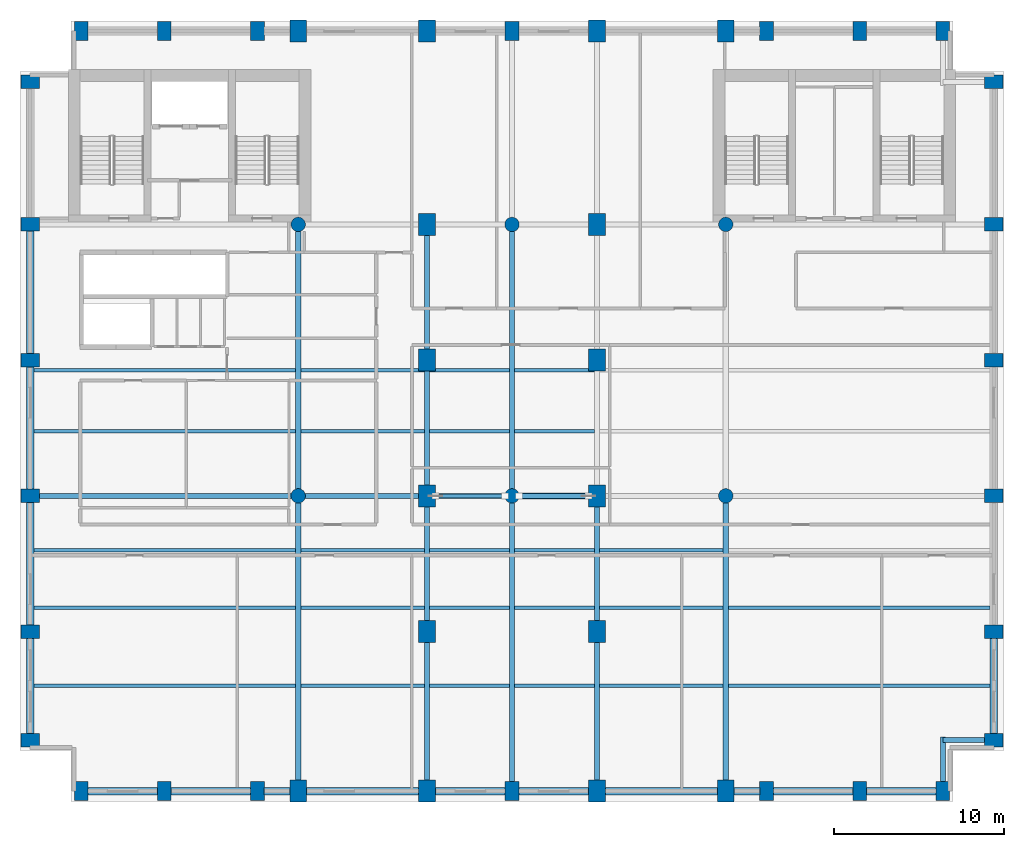
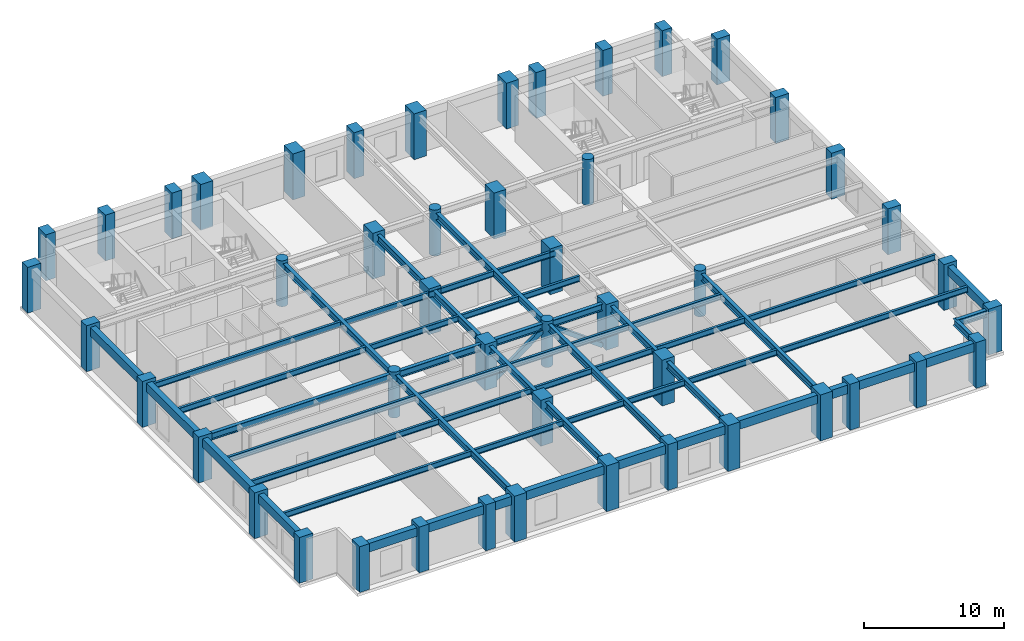
# One storey, part 1 of 10: 54 beams, 48 columns, 2 members.
"""IFC4 building model written with IfcOpenShell, lengths in metres."""

from ifc_helpers import new_model, si_unit, direction, frame, origin, origin_2d, place, context, subcontext, project, spatial, rectangle, hollow_rectangle, circle, i_section, extrude, material, material_profile, profile_set, type_object, element, save


model = new_model("IFC4")

# Units and contexts
model_context = context("Model", 3, precision=1e-05, world=origin(), true_north=direction((0.0, 1.0)))
body_context = subcontext(model_context, "Body", "Model", "MODEL_VIEW")
ifc_project = project(units=[si_unit("LENGTHUNIT", "METRE"), si_unit("AREAUNIT", "SQUARE_METRE"), si_unit("VOLUMEUNIT", "CUBIC_METRE"), si_unit("PLANEANGLEUNIT", "RADIAN"), si_unit("MASSUNIT", "GRAM", prefix="KILO")], contexts=[model_context])

# Site, building, storey
site_placement = place(None, origin())
site = spatial("IfcSite", under=ifc_project, at=site_placement, CompositionType="ELEMENT")
building_placement = place(site_placement, origin())
building = spatial("IfcBuilding", under=site, at=building_placement, Name="Sulina Concourse Tower", CompositionType="ELEMENT")
storey_placement = place(building_placement, frame((0.0, 0.0, 214.60009765625)))
storey = spatial("IfcBuildingStorey", under=building, at=storey_placement, Name="L52", CompositionType="ELEMENT", Elevation=214.60009765625)

# Columns
ifc_material_1 = material(Name="Precast concrete C60/75", Category="concrete")
ifc_material_profile_1 = material_profile(ifc_material_1, rectangle(XDim=0.800048828125, YDim=1.10009765625, at=origin_2d()), Name="PC 800x1100")
ifc_profile_set_1 = profile_set([ifc_material_profile_1], Name="Precast concrete C60/75")
column_type_1 = type_object("IfcColumnType", Name="Precast Tube Pier Zone 3 800x1100", PredefinedType="COLUMN", material=ifc_profile_set_1)
for number, where, z_axis, x_axis, name in (
    (1, (3.60009765625, 0.60009765625, 0.0), (0.0, 0.0, 1.0), (1.0, 0.0, 0.0), "L52 structural column TP-S-36"),
    (2, (3.60009765625, 45.39990234375, 0.0), (0.0, 0.0, 1.0), (1.0, 0.0, 0.0), "L52 structural column TP-N-36"),
    (3, (8.5, 0.60009765625, 0.0), (0.0, 0.0, 1.0), (1.0, 0.0, 0.0), "L52 structural column TP-S-85"),
    (4, (8.5, 45.39990234375, 0.0), (0.0, 0.0, 1.0), (1.0, 0.0, 0.0), "L52 structural column TP-N-85"),
    (5, (14.0, 0.60009765625, 0.0), (0.0, 0.0, 1.0), (1.0, 0.0, 0.0), "L52 structural column TP-S-140"),
    (6, (14.0, 45.39990234375, 0.0), (0.0, 0.0, 1.0), (1.0, 0.0, 0.0), "L52 structural column TP-N-140"),
    (7, (29.0, 0.60009765625, 0.0), (0.0, 0.0, 1.0), (1.0, 0.0, 0.0), "L52 structural column TP-S-290"),
    (8, (29.0, 45.39990234375, 0.0), (0.0, 0.0, 1.0), (1.0, 0.0, 0.0), "L52 structural column TP-N-290"),
    (9, (44.0, 0.60009765625, 0.0), (0.0, 0.0, 1.0), (1.0, 0.0, 0.0), "L52 structural column TP-S-440"),
    (10, (44.0, 45.39990234375, 0.0), (0.0, 0.0, 1.0), (1.0, 0.0, 0.0), "L52 structural column TP-N-440"),
    (11, (49.5, 0.60009765625, 0.0), (0.0, 0.0, 1.0), (1.0, 0.0, 0.0), "L52 structural column TP-S-495"),
    (12, (49.5, 45.39990234375, 0.0), (0.0, 0.0, 1.0), (1.0, 0.0, 0.0), "L52 structural column TP-N-495"),
    (13, (54.39990234375, 0.60009765625, 0.0), (0.0, 0.0, 1.0), (1.0, 0.0, 0.0), "L52 structural column TP-S-544"),
    (14, (54.39990234375, 45.39990234375, 0.0), (0.0, 0.0, 1.0), (1.0, 0.0, 0.0), "L52 structural column TP-N-544"),
    (15, (0.60009765625, 3.60009765625, 0.0), (0.0, 0.0, 1.0), (0.0, 1.0, 0.0), "L52 structural column TP-W-36"),
    (16, (57.39990234375, 3.60009765625, 0.0), (0.0, 0.0, 1.0), (0.0, 1.0, 0.0), "L52 structural column TP-E-36"),
    (17, (0.60009765625, 10.0, 0.0), (0.0, 0.0, 1.0), (0.0, 1.0, 0.0), "L52 structural column TP-W-100"),
    (18, (57.39990234375, 10.0, 0.0), (0.0, 0.0, 1.0), (0.0, 1.0, 0.0), "L52 structural column TP-E-100"),
    (19, (0.60009765625, 18.0, 0.0), (0.0, 0.0, 1.0), (0.0, 1.0, 0.0), "L52 structural column TP-W-180"),
    (20, (57.39990234375, 18.0, 0.0), (0.0, 0.0, 1.0), (0.0, 1.0, 0.0), "L52 structural column TP-E-180"),
    (21, (0.60009765625, 26.0, 0.0), (0.0, 0.0, 1.0), (0.0, 1.0, 0.0), "L52 structural column TP-W-260"),
    (22, (57.39990234375, 26.0, 0.0), (0.0, 0.0, 1.0), (0.0, 1.0, 0.0), "L52 structural column TP-E-260"),
    (23, (0.60009765625, 34.0, 0.0), (0.0, 0.0, 1.0), (0.0, 1.0, 0.0), "L52 structural column TP-W-340"),
    (24, (57.39990234375, 34.0, 0.0), (0.0, 0.0, 1.0), (0.0, 1.0, 0.0), "L52 structural column TP-E-340"),
    (25, (0.60009765625, 42.39990234375, 0.0), (0.0, 0.0, 1.0), (0.0, 1.0, 0.0), "L52 structural column TP-W-424"),
    (26, (57.39990234375, 42.39990234375, 0.0), (0.0, 0.0, 1.0), (0.0, 1.0, 0.0), "L52 structural column TP-E-424"),
):
    element("IfcColumn", number, at=place(storey_placement, frame(where, z_axis=z_axis, x_axis=x_axis)), inside=storey, type_object=column_type_1, Name=name, PredefinedType="COLUMN", context=body_context, shape_type="SweptSolid", body=[
        extrude(rectangle(XDim=0.800048828125, YDim=1.10009765625, at=origin_2d()), origin(), (0.0, 0.0, 1.0), 4.0),
    ])
ifc_material_2 = material(Name="Concrete C50/60", Category="concrete")
ifc_material_profile_2 = material_profile(ifc_material_2, circle(Radius=0.425048828125, at=origin_2d()), Name="RC D850")
ifc_profile_set_2 = profile_set([ifc_material_profile_2], Name="Concrete C50/60")
column_type_2 = type_object("IfcColumnType", Name="Upper Interior Circular Column D850", PredefinedType="COLUMN", material=ifc_profile_set_2)
for number, where, z_axis, x_axis, name in (
    (27, (16.39990234375, 18.0, 0.0), (0.0, 0.0, 1.0), (1.0, 0.0, 0.0), "L52 structural column IC-M-164"),
    (28, (16.39990234375, 34.0, 0.0), (0.0, 0.0, 1.0), (1.0, 0.0, 0.0), "L52 structural column IC-N-164"),
    (29, (29.0, 18.0, 0.0), (0.0, 0.0, 1.0), (1.0, 0.0, 0.0), "L52 structural column IC-M-290"),
    (30, (29.0, 34.0, 0.0), (0.0, 0.0, 1.0), (1.0, 0.0, 0.0), "L52 structural column IC-N-290"),
    (31, (41.60009765625, 18.0, 0.0), (0.0, 0.0, 1.0), (1.0, 0.0, 0.0), "L52 structural column IC-M-416"),
    (32, (41.60009765625, 34.0, 0.0), (0.0, 0.0, 1.0), (1.0, 0.0, 0.0), "L52 structural column IC-N-416"),
):
    element("IfcColumn", number, at=place(storey_placement, frame(where, z_axis=z_axis, x_axis=x_axis)), inside=storey, type_object=column_type_2, Name=name, PredefinedType="COLUMN", context=body_context, shape_type="SweptSolid", body=[
        extrude(circle(Radius=0.425048828125, at=origin_2d()), origin(), (0.0, 0.0, 1.0), 4.0),
    ])
ifc_material_3 = material(Name="Concrete C60/75", Category="concrete")
ifc_material_profile_3 = material_profile(ifc_material_3, rectangle(XDim=1.0, YDim=1.300048828125, at=origin_2d()), Name="RC 1000x1300")
ifc_profile_set_3 = profile_set([ifc_material_profile_3], Name="Concrete C60/75")
column_type_3 = type_object("IfcColumnType", Name="Upper Portal Column 1000x1300", PredefinedType="COLUMN", material=ifc_profile_set_3)
for number, where, z_axis, x_axis, name in (
    (33, (16.39990234375, 0.60009765625, 0.0), (0.0, 0.0, 1.0), (1.0, 0.0, 0.0), "L52 structural column TP-S-164"),
    (34, (16.39990234375, 45.39990234375, 0.0), (0.0, 0.0, 1.0), (1.0, 0.0, 0.0), "L52 structural column TP-N-164"),
    (35, (24.0, 0.60009765625, 0.0), (0.0, 0.0, 1.0), (1.0, 0.0, 0.0), "L52 structural column TP-S-240"),
    (36, (24.0, 45.39990234375, 0.0), (0.0, 0.0, 1.0), (1.0, 0.0, 0.0), "L52 structural column TP-N-240"),
    (37, (34.0, 0.60009765625, 0.0), (0.0, 0.0, 1.0), (1.0, 0.0, 0.0), "L52 structural column TP-S-340"),
    (38, (34.0, 45.39990234375, 0.0), (0.0, 0.0, 1.0), (1.0, 0.0, 0.0), "L52 structural column TP-N-340"),
    (39, (41.60009765625, 0.60009765625, 0.0), (0.0, 0.0, 1.0), (1.0, 0.0, 0.0), "L52 structural column TP-S-416"),
    (40, (41.60009765625, 45.39990234375, 0.0), (0.0, 0.0, 1.0), (1.0, 0.0, 0.0), "L52 structural column TP-N-416"),
    (41, (24.0, 10.0, 0.0), (0.0, 0.0, 1.0), (1.0, 0.0, 0.0), "L52 structural column UP-FW-10"),
    (42, (34.0, 10.0, 0.0), (0.0, 0.0, 1.0), (1.0, 0.0, 0.0), "L52 structural column UP-FE-10"),
    (43, (24.0, 18.0, 0.0), (0.0, 0.0, 1.0), (1.0, 0.0, 0.0), "L52 structural column UP-FW-18"),
    (44, (34.0, 18.0, 0.0), (0.0, 0.0, 1.0), (1.0, 0.0, 0.0), "L52 structural column UP-FE-18"),
    (45, (24.0, 26.0, 0.0), (0.0, 0.0, 1.0), (1.0, 0.0, 0.0), "L52 structural column UP-FW-26"),
    (46, (34.0, 26.0, 0.0), (0.0, 0.0, 1.0), (1.0, 0.0, 0.0), "L52 structural column UP-FE-26"),
    (47, (24.0, 34.0, 0.0), (0.0, 0.0, 1.0), (1.0, 0.0, 0.0), "L52 structural column UP-FW-34"),
    (48, (34.0, 34.0, 0.0), (0.0, 0.0, 1.0), (1.0, 0.0, 0.0), "L52 structural column UP-FE-34"),
):
    element("IfcColumn", number, at=place(storey_placement, frame(where, z_axis=z_axis, x_axis=x_axis)), inside=storey, type_object=column_type_3, Name=name, PredefinedType="COLUMN", context=body_context, shape_type="SweptSolid", body=[
        extrude(rectangle(XDim=1.0, YDim=1.300048828125, at=origin_2d()), origin(), (0.0, 0.0, 1.0), 4.0),
    ])

# Beams
ifc_material_4 = material(Name="Steel S355", Category="steel")
ifc_material_profile_4 = material_profile(ifc_material_4, i_section(OverallWidth=0.199951171875, OverallDepth=0.5, WebThickness=0.01025390625, FlangeThickness=0.01611328125, at=origin_2d()), Name="IPE 500")
ifc_profile_set_4 = profile_set([ifc_material_profile_4], Name="Steel S355")
beam_type_1 = type_object("IfcBeamType", Name="Composite Floor Joist IPE500", PredefinedType="JOIST", material=ifc_profile_set_4)
beam_1_placement = place(storey_placement, frame((0.824951171875, 6.800048828125, 3.5), z_axis=(1.0, 0.0, 0.0), x_axis=(0.0, 1.0, 0.0)))
element("IfcBeam", 49, at=beam_1_placement, inside=storey, type_object=beam_type_1, Name="FJ-J06-1-L52", PredefinedType="JOIST", context=body_context, shape_type="SweptSolid", body=[
    extrude(i_section(OverallWidth=0.199951171875, OverallDepth=0.5, WebThickness=0.01025390625, FlangeThickness=0.01611328125, at=origin_2d()), origin(), (0.0, 0.0, 1.0), 15.425048828125),
])
beam_2_placement = place(storey_placement, frame((16.550048828125, 6.800048828125, 3.5), z_axis=(1.0, 0.0, 0.0), x_axis=(0.0, 1.0, 0.0)))
element("IfcBeam", 50, at=beam_2_placement, inside=storey, type_object=beam_type_1, Name="FJ-J06-2-L52", PredefinedType="JOIST", context=body_context, shape_type="SweptSolid", body=[
    extrude(i_section(OverallWidth=0.199951171875, OverallDepth=0.5, WebThickness=0.01025390625, FlangeThickness=0.01611328125, at=origin_2d()), origin(), (0.0, 0.0, 1.0), 7.300048828125),
])
for number, where, z_axis, x_axis, name in (
    (51, (24.14990234375, 6.800048828125, 3.5), (1.0, 0.0, 0.0), (0.0, 1.0, 0.0), "FJ-J06-3-L52"),
    (52, (29.14990234375, 6.800048828125, 3.5), (1.0, 0.0, 0.0), (0.0, 1.0, 0.0), "FJ-J06-4-L52"),
):
    element("IfcBeam", number, at=place(storey_placement, frame(where, z_axis=z_axis, x_axis=x_axis)), inside=storey, type_object=beam_type_1, Name=name, PredefinedType="JOIST", context=body_context, shape_type="SweptSolid", body=[
        extrude(i_section(OverallWidth=0.199951171875, OverallDepth=0.5, WebThickness=0.01025390625, FlangeThickness=0.01611328125, at=origin_2d()), origin(), (0.0, 0.0, 1.0), 4.7001953125),
    ])
beam_3_placement = place(storey_placement, frame((34.14990234375, 6.800048828125, 3.5), z_axis=(1.0, 0.0, 0.0), x_axis=(0.0, 1.0, 0.0)))
element("IfcBeam", 53, at=beam_3_placement, inside=storey, type_object=beam_type_1, Name="FJ-J06-5-L52", PredefinedType="JOIST", context=body_context, shape_type="SweptSolid", body=[
    extrude(i_section(OverallWidth=0.199951171875, OverallDepth=0.5, WebThickness=0.01025390625, FlangeThickness=0.01611328125, at=origin_2d()), origin(), (0.0, 0.0, 1.0), 7.300048828125),
])
for number, where, z_axis, x_axis, name in (
    (54, (41.75, 6.800048828125, 3.5), (1.0, 0.0, 0.0), (0.0, 1.0, 0.0), "FJ-J06-6-L52"),
    (55, (0.824951171875, 11.39990234375, 3.5), (1.0, 0.0, 0.0), (0.0, 1.0, 0.0), "FJ-J11-1-L52"),
):
    element("IfcBeam", number, at=place(storey_placement, frame(where, z_axis=z_axis, x_axis=x_axis)), inside=storey, type_object=beam_type_1, Name=name, PredefinedType="JOIST", context=body_context, shape_type="SweptSolid", body=[
        extrude(i_section(OverallWidth=0.199951171875, OverallDepth=0.5, WebThickness=0.01025390625, FlangeThickness=0.01611328125, at=origin_2d()), origin(), (0.0, 0.0, 1.0), 15.425048828125),
    ])
beam_4_placement = place(storey_placement, frame((16.550048828125, 11.39990234375, 3.5), z_axis=(1.0, 0.0, 0.0), x_axis=(0.0, 1.0, 0.0)))
element("IfcBeam", 56, at=beam_4_placement, inside=storey, type_object=beam_type_1, Name="FJ-J11-2-L52", PredefinedType="JOIST", context=body_context, shape_type="SweptSolid", body=[
    extrude(i_section(OverallWidth=0.199951171875, OverallDepth=0.5, WebThickness=0.01025390625, FlangeThickness=0.01611328125, at=origin_2d()), origin(), (0.0, 0.0, 1.0), 7.300048828125),
])
for number, where, z_axis, x_axis, name in (
    (57, (24.14990234375, 11.39990234375, 3.5), (1.0, 0.0, 0.0), (0.0, 1.0, 0.0), "FJ-J11-3-L52"),
    (58, (29.14990234375, 11.39990234375, 3.5), (1.0, 0.0, 0.0), (0.0, 1.0, 0.0), "FJ-J11-4-L52"),
):
    element("IfcBeam", number, at=place(storey_placement, frame(where, z_axis=z_axis, x_axis=x_axis)), inside=storey, type_object=beam_type_1, Name=name, PredefinedType="JOIST", context=body_context, shape_type="SweptSolid", body=[
        extrude(i_section(OverallWidth=0.199951171875, OverallDepth=0.5, WebThickness=0.01025390625, FlangeThickness=0.01611328125, at=origin_2d()), origin(), (0.0, 0.0, 1.0), 4.7001953125),
    ])
beam_5_placement = place(storey_placement, frame((34.14990234375, 11.39990234375, 3.5), z_axis=(1.0, 0.0, 0.0), x_axis=(0.0, 1.0, 0.0)))
element("IfcBeam", 59, at=beam_5_placement, inside=storey, type_object=beam_type_1, Name="FJ-J11-5-L52", PredefinedType="JOIST", context=body_context, shape_type="SweptSolid", body=[
    extrude(i_section(OverallWidth=0.199951171875, OverallDepth=0.5, WebThickness=0.01025390625, FlangeThickness=0.01611328125, at=origin_2d()), origin(), (0.0, 0.0, 1.0), 7.300048828125),
])
for number, where, z_axis, x_axis, name in (
    (60, (41.75, 11.39990234375, 3.5), (1.0, 0.0, 0.0), (0.0, 1.0, 0.0), "FJ-J11-6-L52"),
    (61, (0.824951171875, 14.800048828125, 3.5), (1.0, 0.0, 0.0), (0.0, 1.0, 0.0), "FJ-J15-1-L52"),
):
    element("IfcBeam", number, at=place(storey_placement, frame(where, z_axis=z_axis, x_axis=x_axis)), inside=storey, type_object=beam_type_1, Name=name, PredefinedType="JOIST", context=body_context, shape_type="SweptSolid", body=[
        extrude(i_section(OverallWidth=0.199951171875, OverallDepth=0.5, WebThickness=0.01025390625, FlangeThickness=0.01611328125, at=origin_2d()), origin(), (0.0, 0.0, 1.0), 15.425048828125),
    ])
beam_6_placement = place(storey_placement, frame((16.550048828125, 14.800048828125, 3.5), z_axis=(1.0, 0.0, 0.0), x_axis=(0.0, 1.0, 0.0)))
element("IfcBeam", 62, at=beam_6_placement, inside=storey, type_object=beam_type_1, Name="FJ-J15-2-L52", PredefinedType="JOIST", context=body_context, shape_type="SweptSolid", body=[
    extrude(i_section(OverallWidth=0.199951171875, OverallDepth=0.5, WebThickness=0.01025390625, FlangeThickness=0.01611328125, at=origin_2d()), origin(), (0.0, 0.0, 1.0), 7.300048828125),
])
for number, where, z_axis, x_axis, name in (
    (63, (24.14990234375, 14.800048828125, 3.5), (1.0, 0.0, 0.0), (0.0, 1.0, 0.0), "FJ-J15-3-L52"),
    (64, (29.14990234375, 14.800048828125, 3.5), (1.0, 0.0, 0.0), (0.0, 1.0, 0.0), "FJ-J15-4-L52"),
):
    element("IfcBeam", number, at=place(storey_placement, frame(where, z_axis=z_axis, x_axis=x_axis)), inside=storey, type_object=beam_type_1, Name=name, PredefinedType="JOIST", context=body_context, shape_type="SweptSolid", body=[
        extrude(i_section(OverallWidth=0.199951171875, OverallDepth=0.5, WebThickness=0.01025390625, FlangeThickness=0.01611328125, at=origin_2d()), origin(), (0.0, 0.0, 1.0), 4.7001953125),
    ])
beam_7_placement = place(storey_placement, frame((34.14990234375, 14.800048828125, 3.5), z_axis=(1.0, 0.0, 0.0), x_axis=(0.0, 1.0, 0.0)))
element("IfcBeam", 65, at=beam_7_placement, inside=storey, type_object=beam_type_1, Name="FJ-J15-5-L52", PredefinedType="JOIST", context=body_context, shape_type="SweptSolid", body=[
    extrude(i_section(OverallWidth=0.199951171875, OverallDepth=0.5, WebThickness=0.01025390625, FlangeThickness=0.01611328125, at=origin_2d()), origin(), (0.0, 0.0, 1.0), 7.300048828125),
])
beam_8_placement = place(storey_placement, frame((0.824951171875, 21.800048828125, 3.5), z_axis=(1.0, 0.0, 0.0), x_axis=(0.0, 1.0, 0.0)))
element("IfcBeam", 66, at=beam_8_placement, inside=storey, type_object=beam_type_1, Name="FJ-J22-1-L52", PredefinedType="JOIST", context=body_context, shape_type="SweptSolid", body=[
    extrude(i_section(OverallWidth=0.199951171875, OverallDepth=0.5, WebThickness=0.01025390625, FlangeThickness=0.01611328125, at=origin_2d()), origin(), (0.0, 0.0, 1.0), 15.425048828125),
])
beam_9_placement = place(storey_placement, frame((16.550048828125, 21.800048828125, 3.5), z_axis=(1.0, 0.0, 0.0), x_axis=(0.0, 1.0, 0.0)))
element("IfcBeam", 67, at=beam_9_placement, inside=storey, type_object=beam_type_1, Name="FJ-J22-2-L52", PredefinedType="JOIST", context=body_context, shape_type="SweptSolid", body=[
    extrude(i_section(OverallWidth=0.199951171875, OverallDepth=0.5, WebThickness=0.01025390625, FlangeThickness=0.01611328125, at=origin_2d()), origin(), (0.0, 0.0, 1.0), 7.300048828125),
])
for number, where, z_axis, x_axis, name in (
    (68, (24.14990234375, 21.800048828125, 3.5), (1.0, 0.0, 0.0), (0.0, 1.0, 0.0), "FJ-J22-3-L52"),
    (69, (29.14990234375, 21.800048828125, 3.5), (1.0, 0.0, 0.0), (0.0, 1.0, 0.0), "FJ-J22-4-L52"),
):
    element("IfcBeam", number, at=place(storey_placement, frame(where, z_axis=z_axis, x_axis=x_axis)), inside=storey, type_object=beam_type_1, Name=name, PredefinedType="JOIST", context=body_context, shape_type="SweptSolid", body=[
        extrude(i_section(OverallWidth=0.199951171875, OverallDepth=0.5, WebThickness=0.01025390625, FlangeThickness=0.01611328125, at=origin_2d()), origin(), (0.0, 0.0, 1.0), 4.7001953125),
    ])
beam_10_placement = place(storey_placement, frame((0.824951171875, 25.39990234375, 3.5), z_axis=(1.0, 0.0, 0.0), x_axis=(0.0, 1.0, 0.0)))
element("IfcBeam", 70, at=beam_10_placement, inside=storey, type_object=beam_type_1, Name="FJ-J25-1-L52", PredefinedType="JOIST", context=body_context, shape_type="SweptSolid", body=[
    extrude(i_section(OverallWidth=0.199951171875, OverallDepth=0.5, WebThickness=0.01025390625, FlangeThickness=0.01611328125, at=origin_2d()), origin(), (0.0, 0.0, 1.0), 15.425048828125),
])
beam_11_placement = place(storey_placement, frame((16.550048828125, 25.39990234375, 3.5), z_axis=(1.0, 0.0, 0.0), x_axis=(0.0, 1.0, 0.0)))
element("IfcBeam", 71, at=beam_11_placement, inside=storey, type_object=beam_type_1, Name="FJ-J25-2-L52", PredefinedType="JOIST", context=body_context, shape_type="SweptSolid", body=[
    extrude(i_section(OverallWidth=0.199951171875, OverallDepth=0.5, WebThickness=0.01025390625, FlangeThickness=0.01611328125, at=origin_2d()), origin(), (0.0, 0.0, 1.0), 7.300048828125),
])
for number, where, z_axis, x_axis, name in (
    (72, (24.14990234375, 25.39990234375, 3.5), (1.0, 0.0, 0.0), (0.0, 1.0, 0.0), "FJ-J25-3-L52"),
    (73, (29.14990234375, 25.39990234375, 3.5), (1.0, 0.0, 0.0), (0.0, 1.0, 0.0), "FJ-J25-4-L52"),
):
    element("IfcBeam", number, at=place(storey_placement, frame(where, z_axis=z_axis, x_axis=x_axis)), inside=storey, type_object=beam_type_1, Name=name, PredefinedType="JOIST", context=body_context, shape_type="SweptSolid", body=[
        extrude(i_section(OverallWidth=0.199951171875, OverallDepth=0.5, WebThickness=0.01025390625, FlangeThickness=0.01611328125, at=origin_2d()), origin(), (0.0, 0.0, 1.0), 4.7001953125),
    ])
ifc_material_5 = material(Name="Steel S355", Category="steel")
ifc_material_profile_5 = material_profile(ifc_material_5, i_section(OverallWidth=0.300048828125, OverallDepth=0.60009765625, WebThickness=0.015380859375, FlangeThickness=0.030029296875, at=origin_2d()), Name="HE 600 B")
ifc_profile_set_5 = profile_set([ifc_material_profile_5], Name="Steel S355")
beam_type_2 = type_object("IfcBeamType", Name="Floor Primary Girder Zone 3 HE600B", PredefinedType="BEAM", material=ifc_profile_set_5)
beam_12_placement = place(storey_placement, frame((54.39990234375, 3.60009765625, 3.449951171875), z_axis=(1.0, 0.0, 0.0), x_axis=(0.0, 1.0, 0.0)))
element("IfcBeam", 74, at=beam_12_placement, inside=storey, type_object=beam_type_2, Name="TIE-SE-L52", PredefinedType="BEAM", context=body_context, shape_type="SweptSolid", body=[
    extrude(i_section(OverallWidth=0.300048828125, OverallDepth=0.60009765625, WebThickness=0.015380859375, FlangeThickness=0.030029296875, at=origin_2d()), origin(), (0.0, 0.0, 1.0), 2.6201171875),
])
beam_13_placement = place(storey_placement, frame((54.39990234375, 0.97998046875, 3.449951171875), z_axis=(0.0, 1.0, 0.0), x_axis=(-1.0, 0.0, 0.0)))
element("IfcBeam", 75, at=beam_13_placement, inside=storey, type_object=beam_type_2, Name="TIE-SES-L52", PredefinedType="BEAM", context=body_context, shape_type="SweptSolid", body=[
    extrude(i_section(OverallWidth=0.300048828125, OverallDepth=0.60009765625, WebThickness=0.015380859375, FlangeThickness=0.030029296875, at=origin_2d()), origin(), (0.0, 0.0, 1.0), 2.820068359375),
])
beam_14_placement = place(storey_placement, frame((0.97998046875, 18.0, 3.449951171875), z_axis=(1.0, 0.0, 0.0), x_axis=(0.0, 1.0, 0.0)))
element("IfcBeam", 76, at=beam_14_placement, inside=storey, type_object=beam_type_2, Name="FG-EW1-L52", PredefinedType="BEAM", context=body_context, shape_type="SweptSolid", body=[
    extrude(i_section(OverallWidth=0.300048828125, OverallDepth=0.60009765625, WebThickness=0.015380859375, FlangeThickness=0.030029296875, at=origin_2d()), origin(), (0.0, 0.0, 1.0), 15.01513671875),
])
beam_15_placement = place(storey_placement, frame((16.804931640625, 18.0, 3.449951171875), z_axis=(1.0, 0.0, 0.0), x_axis=(0.0, 1.0, 0.0)))
element("IfcBeam", 77, at=beam_15_placement, inside=storey, type_object=beam_type_2, Name="FG-EW2-L52", PredefinedType="BEAM", context=body_context, shape_type="SweptSolid", body=[
    extrude(i_section(OverallWidth=0.300048828125, OverallDepth=0.60009765625, WebThickness=0.015380859375, FlangeThickness=0.030029296875, at=origin_2d()), origin(), (0.0, 0.0, 1.0), 6.715087890625),
])
for number, where, z_axis, x_axis, name in (
    (78, (24.47998046875, 18.0, 3.449951171875), (1.0, 0.0, 0.0), (0.0, 1.0, 0.0), "FG-EW3-L52"),
    (79, (29.405029296875, 18.0, 3.449951171875), (1.0, 0.0, 0.0), (0.0, 1.0, 0.0), "FG-EW4-L52"),
):
    element("IfcBeam", number, at=place(storey_placement, frame(where, z_axis=z_axis, x_axis=x_axis)), inside=storey, type_object=beam_type_2, Name=name, PredefinedType="BEAM", context=body_context, shape_type="SweptSolid", body=[
        extrude(i_section(OverallWidth=0.300048828125, OverallDepth=0.60009765625, WebThickness=0.015380859375, FlangeThickness=0.030029296875, at=origin_2d()), origin(), (0.0, 0.0, 1.0), 4.114990234375),
    ])
beam_16_placement = place(storey_placement, frame((16.39990234375, 1.080078125, 3.449951171875), z_axis=(0.0, 1.0, 0.0), x_axis=(-1.0, 0.0, 0.0)))
element("IfcBeam", 80, at=beam_16_placement, inside=storey, type_object=beam_type_2, Name="FG-NSA-16-L52", PredefinedType="BEAM", context=body_context, shape_type="SweptSolid", body=[
    extrude(i_section(OverallWidth=0.300048828125, OverallDepth=0.60009765625, WebThickness=0.015380859375, FlangeThickness=0.030029296875, at=origin_2d()), origin(), (0.0, 0.0, 1.0), 16.514892578125),
])
beam_17_placement = place(storey_placement, frame((16.39990234375, 18.405029296875, 3.449951171875), z_axis=(0.0, 1.0, 0.0), x_axis=(-1.0, 0.0, 0.0)))
element("IfcBeam", 81, at=beam_17_placement, inside=storey, type_object=beam_type_2, Name="FG-NSB-16-L52", PredefinedType="BEAM", context=body_context, shape_type="SweptSolid", body=[
    extrude(i_section(OverallWidth=0.300048828125, OverallDepth=0.60009765625, WebThickness=0.015380859375, FlangeThickness=0.030029296875, at=origin_2d()), origin(), (0.0, 0.0, 1.0), 15.18994140625),
])
beam_18_placement = place(storey_placement, frame((24.0, 1.080078125, 3.449951171875), z_axis=(0.0, 1.0, 0.0), x_axis=(-1.0, 0.0, 0.0)))
element("IfcBeam", 82, at=beam_18_placement, inside=storey, type_object=beam_type_2, Name="FG-NSA-24-L52", PredefinedType="BEAM", context=body_context, shape_type="SweptSolid", body=[
    extrude(i_section(OverallWidth=0.300048828125, OverallDepth=0.60009765625, WebThickness=0.015380859375, FlangeThickness=0.030029296875, at=origin_2d()), origin(), (0.0, 0.0, 1.0), 16.43994140625),
])
beam_19_placement = place(storey_placement, frame((24.0, 18.47998046875, 3.449951171875), z_axis=(0.0, 1.0, 0.0), x_axis=(-1.0, 0.0, 0.0)))
element("IfcBeam", 83, at=beam_19_placement, inside=storey, type_object=beam_type_2, Name="FG-NSB-24-L52", PredefinedType="BEAM", context=body_context, shape_type="SweptSolid", body=[
    extrude(i_section(OverallWidth=0.300048828125, OverallDepth=0.60009765625, WebThickness=0.015380859375, FlangeThickness=0.030029296875, at=origin_2d()), origin(), (0.0, 0.0, 1.0), 15.0400390625),
])
beam_20_placement = place(storey_placement, frame((29.0, 0.97998046875, 3.449951171875), z_axis=(0.0, 1.0, 0.0), x_axis=(-1.0, 0.0, 0.0)))
element("IfcBeam", 84, at=beam_20_placement, inside=storey, type_object=beam_type_2, Name="FG-NSA-29-L52", PredefinedType="BEAM", context=body_context, shape_type="SweptSolid", body=[
    extrude(i_section(OverallWidth=0.300048828125, OverallDepth=0.60009765625, WebThickness=0.015380859375, FlangeThickness=0.030029296875, at=origin_2d()), origin(), (0.0, 0.0, 1.0), 16.614990234375),
])
beam_21_placement = place(storey_placement, frame((29.0, 18.405029296875, 3.449951171875), z_axis=(0.0, 1.0, 0.0), x_axis=(-1.0, 0.0, 0.0)))
element("IfcBeam", 85, at=beam_21_placement, inside=storey, type_object=beam_type_2, Name="FG-NSB-29-L52", PredefinedType="BEAM", context=body_context, shape_type="SweptSolid", body=[
    extrude(i_section(OverallWidth=0.300048828125, OverallDepth=0.60009765625, WebThickness=0.015380859375, FlangeThickness=0.030029296875, at=origin_2d()), origin(), (0.0, 0.0, 1.0), 15.18994140625),
])
beam_22_placement = place(storey_placement, frame((34.0, 1.080078125, 3.449951171875), z_axis=(0.0, 1.0, 0.0), x_axis=(-1.0, 0.0, 0.0)))
element("IfcBeam", 86, at=beam_22_placement, inside=storey, type_object=beam_type_2, Name="FG-NSA-34-L52", PredefinedType="BEAM", context=body_context, shape_type="SweptSolid", body=[
    extrude(i_section(OverallWidth=0.300048828125, OverallDepth=0.60009765625, WebThickness=0.015380859375, FlangeThickness=0.030029296875, at=origin_2d()), origin(), (0.0, 0.0, 1.0), 16.43994140625),
])
beam_23_placement = place(storey_placement, frame((41.60009765625, 1.080078125, 3.449951171875), z_axis=(0.0, 1.0, 0.0), x_axis=(-1.0, 0.0, 0.0)))
element("IfcBeam", 87, at=beam_23_placement, inside=storey, type_object=beam_type_2, Name="FG-NSA-41-L52", PredefinedType="BEAM", context=body_context, shape_type="SweptSolid", body=[
    extrude(i_section(OverallWidth=0.300048828125, OverallDepth=0.60009765625, WebThickness=0.015380859375, FlangeThickness=0.030029296875, at=origin_2d()), origin(), (0.0, 0.0, 1.0), 16.514892578125),
])
ifc_material_6 = material(Name="Precast concrete C50/60", Category="concrete")
ifc_material_profile_6 = material_profile(ifc_material_6, rectangle(XDim=0.449951171875, YDim=0.75, at=origin_2d()), Name="RC 450x750")
ifc_profile_set_6 = profile_set([ifc_material_profile_6], Name="Precast concrete C50/60")
beam_type_3 = type_object("IfcBeamType", Name="Upper Precast Spandrel Edge Beam 450x750", PredefinedType="BEAM", material=ifc_profile_set_6)
beam_24_placement = place(storey_placement, frame((3.97998046875, 0.60009765625, 3.375), z_axis=(1.0, 0.0, 0.0), x_axis=(0.0, 1.0, 0.0)))
element("IfcBeam", 88, at=beam_24_placement, inside=storey, type_object=beam_type_3, Name="SP-S1-L52", PredefinedType="BEAM", context=body_context, shape_type="SweptSolid", body=[
    extrude(rectangle(XDim=0.449951171875, YDim=0.75, at=origin_2d()), origin(), (0.0, 0.0, 1.0), 4.14013671875),
])
beam_25_placement = place(storey_placement, frame((8.8798828125, 0.60009765625, 3.375), z_axis=(1.0, 0.0, 0.0), x_axis=(0.0, 1.0, 0.0)))
element("IfcBeam", 89, at=beam_25_placement, inside=storey, type_object=beam_type_3, Name="SP-S2-L52", PredefinedType="BEAM", context=body_context, shape_type="SweptSolid", body=[
    extrude(rectangle(XDim=0.449951171875, YDim=0.75, at=origin_2d()), origin(), (0.0, 0.0, 1.0), 4.740234375),
])
beam_26_placement = place(storey_placement, frame((14.3798828125, 0.60009765625, 3.375), z_axis=(1.0, 0.0, 0.0), x_axis=(0.0, 1.0, 0.0)))
element("IfcBeam", 90, at=beam_26_placement, inside=storey, type_object=beam_type_3, Name="SP-S3-L52", PredefinedType="BEAM", context=body_context, shape_type="SweptSolid", body=[
    extrude(rectangle(XDim=0.449951171875, YDim=0.75, at=origin_2d()), origin(), (0.0, 0.0, 1.0), 1.5400390625),
])
beam_27_placement = place(storey_placement, frame((16.8798828125, 0.60009765625, 3.375), z_axis=(1.0, 0.0, 0.0), x_axis=(0.0, 1.0, 0.0)))
element("IfcBeam", 91, at=beam_27_placement, inside=storey, type_object=beam_type_3, Name="SP-S4-L52", PredefinedType="BEAM", context=body_context, shape_type="SweptSolid", body=[
    extrude(rectangle(XDim=0.449951171875, YDim=0.75, at=origin_2d()), origin(), (0.0, 0.0, 1.0), 6.64013671875),
])
for number, where, z_axis, x_axis, name in (
    (92, (24.47998046875, 0.60009765625, 3.375), (1.0, 0.0, 0.0), (0.0, 1.0, 0.0), "SP-S5-L52"),
    (93, (29.3798828125, 0.60009765625, 3.375), (1.0, 0.0, 0.0), (0.0, 1.0, 0.0), "SP-S6-L52"),
):
    element("IfcBeam", number, at=place(storey_placement, frame(where, z_axis=z_axis, x_axis=x_axis)), inside=storey, type_object=beam_type_3, Name=name, PredefinedType="BEAM", context=body_context, shape_type="SweptSolid", body=[
        extrude(rectangle(XDim=0.449951171875, YDim=0.75, at=origin_2d()), origin(), (0.0, 0.0, 1.0), 4.14013671875),
    ])
beam_28_placement = place(storey_placement, frame((34.47998046875, 0.60009765625, 3.375), z_axis=(1.0, 0.0, 0.0), x_axis=(0.0, 1.0, 0.0)))
element("IfcBeam", 94, at=beam_28_placement, inside=storey, type_object=beam_type_3, Name="SP-S7-L52", PredefinedType="BEAM", context=body_context, shape_type="SweptSolid", body=[
    extrude(rectangle(XDim=0.449951171875, YDim=0.75, at=origin_2d()), origin(), (0.0, 0.0, 1.0), 6.64013671875),
])
beam_29_placement = place(storey_placement, frame((42.080078125, 0.60009765625, 3.375), z_axis=(1.0, 0.0, 0.0), x_axis=(0.0, 1.0, 0.0)))
element("IfcBeam", 95, at=beam_29_placement, inside=storey, type_object=beam_type_3, Name="SP-S8-L52", PredefinedType="BEAM", context=body_context, shape_type="SweptSolid", body=[
    extrude(rectangle(XDim=0.449951171875, YDim=0.75, at=origin_2d()), origin(), (0.0, 0.0, 1.0), 1.5400390625),
])
beam_30_placement = place(storey_placement, frame((44.3798828125, 0.60009765625, 3.375), z_axis=(1.0, 0.0, 0.0), x_axis=(0.0, 1.0, 0.0)))
element("IfcBeam", 96, at=beam_30_placement, inside=storey, type_object=beam_type_3, Name="SP-S9-L52", PredefinedType="BEAM", context=body_context, shape_type="SweptSolid", body=[
    extrude(rectangle(XDim=0.449951171875, YDim=0.75, at=origin_2d()), origin(), (0.0, 0.0, 1.0), 4.740234375),
])
beam_31_placement = place(storey_placement, frame((49.8798828125, 0.60009765625, 3.375), z_axis=(1.0, 0.0, 0.0), x_axis=(0.0, 1.0, 0.0)))
element("IfcBeam", 97, at=beam_31_placement, inside=storey, type_object=beam_type_3, Name="SP-S10-L52", PredefinedType="BEAM", context=body_context, shape_type="SweptSolid", body=[
    extrude(rectangle(XDim=0.449951171875, YDim=0.75, at=origin_2d()), origin(), (0.0, 0.0, 1.0), 4.14013671875),
])
beam_32_placement = place(storey_placement, frame((0.60009765625, 3.97998046875, 3.375), z_axis=(0.0, 1.0, 0.0), x_axis=(-1.0, 0.0, 0.0)))
element("IfcBeam", 98, at=beam_32_placement, inside=storey, type_object=beam_type_3, Name="SP-W1-L52", PredefinedType="BEAM", context=body_context, shape_type="SweptSolid", body=[
    extrude(rectangle(XDim=0.449951171875, YDim=0.75, at=origin_2d()), origin(), (0.0, 0.0, 1.0), 5.64013671875),
])
for number, where, z_axis, x_axis, name in (
    (99, (0.60009765625, 10.3798828125, 3.375), (0.0, 1.0, 0.0), (-1.0, 0.0, 0.0), "SP-W2-L52"),
    (100, (0.60009765625, 18.3798828125, 3.375), (0.0, 1.0, 0.0), (-1.0, 0.0, 0.0), "SP-W3-L52"),
    (101, (0.60009765625, 26.3798828125, 3.375), (0.0, 1.0, 0.0), (-1.0, 0.0, 0.0), "SP-W4-L52"),
):
    element("IfcBeam", number, at=place(storey_placement, frame(where, z_axis=z_axis, x_axis=x_axis)), inside=storey, type_object=beam_type_3, Name=name, PredefinedType="BEAM", context=body_context, shape_type="SweptSolid", body=[
        extrude(rectangle(XDim=0.449951171875, YDim=0.75, at=origin_2d()), origin(), (0.0, 0.0, 1.0), 7.240234375),
    ])
beam_33_placement = place(storey_placement, frame((57.39990234375, 3.97998046875, 3.375), z_axis=(0.0, 1.0, 0.0), x_axis=(-1.0, 0.0, 0.0)))
element("IfcBeam", 102, at=beam_33_placement, inside=storey, type_object=beam_type_3, Name="SP-E1-L52", PredefinedType="BEAM", context=body_context, shape_type="SweptSolid", body=[
    extrude(rectangle(XDim=0.449951171875, YDim=0.75, at=origin_2d()), origin(), (0.0, 0.0, 1.0), 5.64013671875),
])

# Members
ifc_material_7 = material(Name="Steel S355", Category="steel")
ifc_material_profile_7 = material_profile(ifc_material_7, hollow_rectangle(XDim=0.25, YDim=0.449951171875, WallThickness=0.01611328125, at=origin_2d()), Name="RHS 450x250x16")
ifc_profile_set_7 = profile_set([ifc_material_profile_7], Name="Steel S355")
member_type_1 = type_object("IfcMemberType", Name="Upper Wind-Portal Diagonal RHS450x250x16", PredefinedType="BRACE", material=ifc_profile_set_7)
member_1_placement = place(storey_placement, frame((24.489990234375, 18.0, 0.119873046875), z_axis=(0.804804914249, 0.0, 0.593539425819), x_axis=(0.0, 1.0, 0.0)))
element("IfcMember", 103, at=member_1_placement, inside=storey, type_object=member_type_1, Name="UBT-DG-1-L52", PredefinedType="BRACE", context=body_context, shape_type="SweptSolid", body=[
    extrude(hollow_rectangle(XDim=0.25, YDim=0.449951171875, WallThickness=0.01611328125, at=origin_2d()), origin(), (0.0, 0.0, 1.0), 5.088134765625),
])
ifc_material_8 = material(Name="Steel S355", Category="steel")
ifc_material_profile_8 = material_profile(ifc_material_8, hollow_rectangle(XDim=0.35009765625, YDim=0.35009765625, WallThickness=0.01611328125, at=origin_2d()), Name="SHS 350x350x16")
ifc_profile_set_8 = profile_set([ifc_material_profile_8], Name="Steel S355")
member_type_2 = type_object("IfcMemberType", Name="Upper Wind-Portal Web Brace SHS350x350x16", PredefinedType="BRACE", material=ifc_profile_set_8)
member_2_placement = place(storey_placement, frame((33.510009765625, 18.0, 0.119873046875), z_axis=(-0.804804914249, 0.0, 0.593539425819), x_axis=(0.0, -1.0, 0.0)))
element("IfcMember", 104, at=member_2_placement, inside=storey, type_object=member_type_2, Name="UBT-DG-2-L52", PredefinedType="BRACE", context=body_context, shape_type="SweptSolid", body=[
    extrude(hollow_rectangle(XDim=0.35009765625, YDim=0.35009765625, WallThickness=0.01611328125, at=origin_2d()), origin(), (0.0, 0.0, 1.0), 5.088134765625),
])

save(model, "model.ifc")
